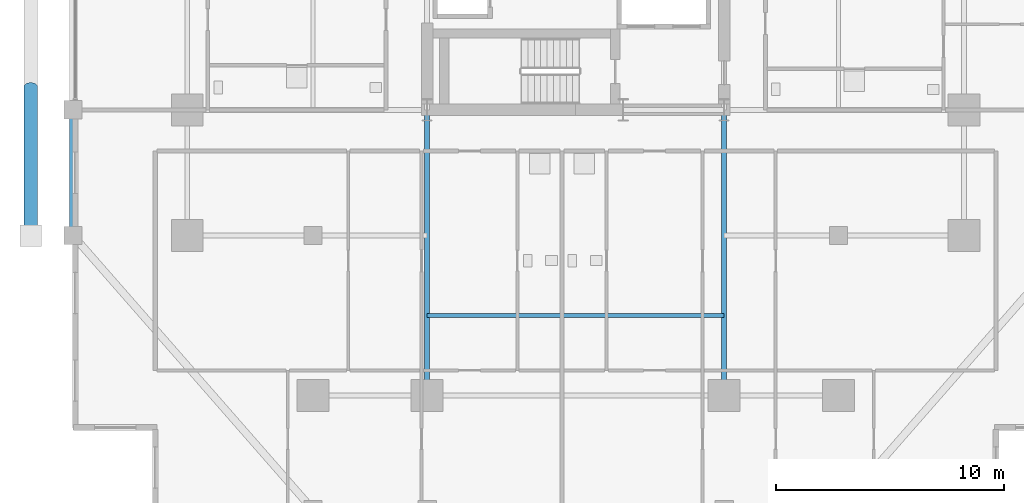
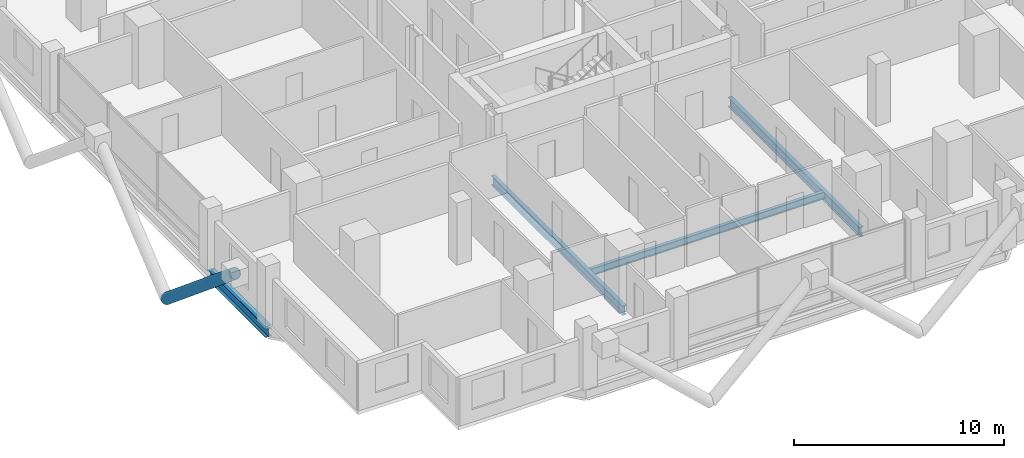
# One storey, part 3 of 23: 4 beams, 1 member.
"""IFC4 building model written with IfcOpenShell, lengths in metres."""

import ifcopenshell
import ifcopenshell.guid

model = None  # the IFC model being written
_history = None  # IfcOwnerHistory: only IFC2X3 demands one
_inside = {}  # id of a spatial element -> (the spatial element, [elements in it])
_under = {}  # id of a project, library or spatial element -> (it, [spatial elements below it])
_declared = {}  # id of a project -> (the project, [libraries it declares])
_typed = {}  # id of a type object -> (the type object, [elements of that type])
_made_of = {}  # id of a material, layer set ... -> (it, [elements and type objects made of it])


def new_model(schema):
    """Start an empty IFC model of exactly this schema.

    Asked for "IFC4X3", IfcOpenShell would pick the latest addendum, in which some entities
    have other attributes; the version numbers below select the first issue.
    IFC2X3 requires an IfcOwnerHistory on every rooted entity: one is made here for all.
    """
    global model, _history
    if schema == "IFC4X3":
        model = ifcopenshell.file(schema_version=(4, 3, 0, 0))
    else:
        model = ifcopenshell.file(schema=schema)
    _inside.clear()
    _under.clear()
    _declared.clear()
    _typed.clear()
    _made_of.clear()
    _history = None
    if model.schema == "IFC2X3":
        org = make("IfcOrganization", Name="unknown")
        user = make(
            "IfcPersonAndOrganization",
            ThePerson=make("IfcPerson", FamilyName="unknown"),
            TheOrganization=org,
        )
        app = make(
            "IfcApplication",
            ApplicationDeveloper=org,
            Version="unknown",
            ApplicationFullName="unknown",
            ApplicationIdentifier="unknown",
        )
        _history = make(
            "IfcOwnerHistory",
            OwningUser=user,
            OwningApplication=app,
            ChangeAction="ADDED",
            CreationDate=0,
        )
    return model


def make(cls, **values):
    """One entity of the class cls with the attributes given. An attribute that is None is left unset."""
    return model.create_entity(
        cls, **{name: value for name, value in values.items() if value is not None}
    )


def rooted(cls, **values):
    """An entity with a GlobalId (a new one), such as an element, a storey or a relation."""
    return make(cls, GlobalId=ifcopenshell.guid.new(), OwnerHistory=_history, **values)


def si_unit(unit_type, name, prefix=None):
    """IfcSIUnit, for example si_unit("LENGTHUNIT", "METRE", prefix="MILLI")."""
    return make("IfcSIUnit", UnitType=unit_type, Prefix=prefix, Name=name)


def assignment(units):
    """IfcUnitAssignment: the units of a project."""
    return None if units is None else make("IfcUnitAssignment", Units=units)


def point(xyz):
    """IfcCartesianPoint."""
    return None if xyz is None else make("IfcCartesianPoint", Coordinates=xyz)


def direction(xyz):
    """IfcDirection."""
    return None if xyz is None else make("IfcDirection", DirectionRatios=xyz)


def frame(location, z_axis=None, x_axis=None):
    """IfcAxis2Placement3D, a coordinate frame: its origin and axes. An axis left out is left unset."""
    return make(
        "IfcAxis2Placement3D",
        Location=point(location),
        Axis=direction(z_axis),
        RefDirection=direction(x_axis),
    )


def frame_2d(location, x_axis=None):
    """IfcAxis2Placement2D, a coordinate frame in the plane: its origin and x axis."""
    return make(
        "IfcAxis2Placement2D", Location=point(location), RefDirection=direction(x_axis)
    )


def origin():
    """The frame at (0, 0, 0) with its axes left unset."""
    return frame((0.0, 0.0, 0.0))


def origin_2d():
    """The frame at (0, 0) in the plane with its x axis left unset."""
    return frame_2d((0.0, 0.0))


def place(relative_to, where):
    """IfcLocalPlacement: puts the frame where relative to a parent placement (None: the world)."""
    return make(
        "IfcLocalPlacement", PlacementRelTo=relative_to, RelativePlacement=where
    )


def context(
    kind, dimensions, precision=None, world=None, true_north=None, identifier=None
):
    """IfcGeometricRepresentationContext, for example the 3D "Model" context."""
    return make(
        "IfcGeometricRepresentationContext",
        ContextIdentifier=identifier,
        ContextType=kind,
        CoordinateSpaceDimension=dimensions,
        Precision=precision,
        WorldCoordinateSystem=world,
        TrueNorth=true_north,
    )


def subcontext(parent, identifier, kind, view, scale=None):
    """IfcGeometricRepresentationSubContext, for example "Body" below "Model"."""
    return make(
        "IfcGeometricRepresentationSubContext",
        ContextIdentifier=identifier,
        ContextType=kind,
        ParentContext=parent,
        TargetScale=scale,
        TargetView=view,
    )


def project(units=None, contexts=None):
    """IfcProject with its units and contexts."""
    return rooted(
        "IfcProject",
        Name="project",
        RepresentationContexts=contexts,
        UnitsInContext=assignment(units),
    )


def spatial(cls, under=None, at=None, **own):
    """A site, building, storey or space (cls), placed at a placement, below another one or the project."""
    s = rooted(cls, ObjectPlacement=at, **own)
    if under is not None:
        _under.setdefault(under.id(), (under, []))[1].append(s)
    return s


def profile(cls, at=None, kind="AREA", **sizes):
    """A parametric profile (cls). Its sizes go by their IFC names, for example OverallWidth=200.0."""
    return make(cls, ProfileType=kind, Position=at, **sizes)


def hollow_circle(**sizes):
    """IfcCircleHollowProfileDef."""
    return profile("IfcCircleHollowProfileDef", **sizes)


def i_section(**sizes):
    """IfcIShapeProfileDef."""
    return profile("IfcIShapeProfileDef", **sizes)


def extrude(swept, where, along, depth):
    """IfcExtrudedAreaSolid: the profile swept, set in the frame where, extruded along a direction by depth."""
    return make(
        "IfcExtrudedAreaSolid",
        SweptArea=swept,
        Position=where,
        ExtrudedDirection=direction(along),
        Depth=depth,
    )


def shape(context_of_items, identifier, shape_type, items):
    """IfcShapeRepresentation: the items that make up one representation, for example the "Body"."""
    return make(
        "IfcShapeRepresentation",
        ContextOfItems=context_of_items,
        RepresentationIdentifier=identifier,
        RepresentationType=shape_type,
        Items=items,
    )


def material(Name=None, Category=None):
    """IfcMaterial."""
    return make("IfcMaterial", Name=Name, Category=Category)


def material_profile(
    of_material, cross_section, Name=None, Category=None, Priority=None
):
    """IfcMaterialProfile: a cross section and its material."""
    return make(
        "IfcMaterialProfile",
        Name=Name,
        Material=of_material,
        Profile=cross_section,
        Priority=Priority,
        Category=Category,
    )


def profile_set(profiles, Name=None, composite=None):
    """IfcMaterialProfileSet."""
    return make(
        "IfcMaterialProfileSet",
        Name=Name,
        MaterialProfiles=profiles,
        CompositeProfile=composite,
    )


def made_of(thing, what):
    """Note that an element or type object is made of a material, layer set ...; save() writes the relation."""
    if what is not None:
        _made_of.setdefault(what.id(), (what, []))[1].append(thing)
    return thing


def type_object(cls, material=None, **own):
    """A type object (cls), such as IfcWallType, which elements share."""
    return made_of(rooted(cls, **own), material)


def element(
    cls,
    number,
    at=None,
    inside=None,
    cuts=None,
    type_object=None,
    material=None,
    context=None,
    identifier="Body",
    shape_type=None,
    held_by="IfcProductDefinitionShape",
    body=None,
    shapes=None,
    **own,
):
    """One element of the class cls, such as IfcWall. Its Tag is "e" and its number.

    at: its placement. inside: the storey or other place that contains it. cuts: it is an
    opening in that element (IfcRelVoidsElement). A single representation is given by context,
    identifier, shape_type and body (its items); several are given by shapes. held_by: the class
    of the entity that holds the representations. save() writes the other relations.
    """
    e = rooted(cls, Tag="e%d" % number, ObjectPlacement=at, **own)
    if body is not None:
        shapes = [shape(context, identifier, shape_type, body)]
    if shapes is not None:
        e.Representation = make(held_by, Representations=shapes)
    if inside is not None:
        _inside.setdefault(inside.id(), (inside, []))[1].append(e)
    if cuts is not None:
        rooted(
            "IfcRelVoidsElement", RelatingBuildingElement=cuts, RelatedOpeningElement=e
        )
    if type_object is not None:
        _typed.setdefault(type_object.id(), (type_object, []))[1].append(e)
    return made_of(e, material)


def aggregate(whole, parts):
    """IfcRelAggregates: a whole, such as a stair, and the parts it consists of."""
    return rooted("IfcRelAggregates", RelatingObject=whole, RelatedObjects=parts)


def save(model, path):
    """Write the relations noted so far, then the file.

    IfcRelAggregates (storeys below a building ...), IfcRelContainedInSpatialStructure (elements
    in a storey), IfcRelDefinesByType, IfcRelAssociatesMaterial and IfcRelDeclares: one each for
    every whole, place, type object, material and project.
    """
    for whole, parts in _under.values():
        aggregate(whole, parts)
    for where, things in _inside.values():
        rooted(
            "IfcRelContainedInSpatialStructure",
            RelatedElements=things,
            RelatingStructure=where,
        )
    for kind, things in _typed.values():
        rooted("IfcRelDefinesByType", RelatedObjects=things, RelatingType=kind)
    for what, things in _made_of.values():
        rooted("IfcRelAssociatesMaterial", RelatedObjects=things, RelatingMaterial=what)
    for by, libraries in _declared.values():
        rooted("IfcRelDeclares", RelatingContext=by, RelatedDefinitions=libraries)
    model.write(path)


model = new_model("IFC4")

# Units and contexts
model_context = context("Model", 3, precision=1e-05, world=origin(), true_north=direction((0.0, 1.0)))
body_context = subcontext(model_context, "Body", "Model", "MODEL_VIEW")
ifc_project = project(units=[si_unit("LENGTHUNIT", "METRE"), si_unit("AREAUNIT", "SQUARE_METRE"), si_unit("VOLUMEUNIT", "CUBIC_METRE"), si_unit("PLANEANGLEUNIT", "RADIAN"), si_unit("MASSUNIT", "GRAM", prefix="KILO")], contexts=[model_context])

# Site, building, storey
site_placement = place(None, origin())
site = spatial("IfcSite", under=ifc_project, at=site_placement, CompositionType="ELEMENT")
building_placement = place(site_placement, origin())
building = spatial("IfcBuilding", under=site, at=building_placement, Name="Barlavira Tower and Art Museum", CompositionType="ELEMENT")
storey_placement = place(building_placement, frame((0.0, 0.0, 68.39990234375)))
storey = spatial("IfcBuildingStorey", under=building, at=storey_placement, Name="L16", CompositionType="ELEMENT", Elevation=68.39990234375)

# Member
ifc_material = material(Name="Steel S355", Category="steel")
ifc_material_profile_1 = material_profile(ifc_material, hollow_circle(Radius=0.304931640625, WallThickness=0.028076171875, at=origin_2d()), Name="CHS 610.0x28.0")
ifc_profile_set_1 = profile_set([ifc_material_profile_1], Name="Steel S355")
member_type = type_object("IfcMemberType", Name="Pale-Metal Exoskeleton Diagrid Tube CHS 610x28 Steel S355", PredefinedType="BRACE", material=ifc_profile_set_1)
member_placement = place(storey_placement, frame((-23.85009765625, -6.5, -1.919921875), z_axis=(0.0, -0.769196053329, 0.639012857104), x_axis=(1.0, 0.0, 0.0)))
element("IfcMember", 1, at=member_placement, inside=storey, type_object=member_type, Name="L16 Exoskeleton Diagrid Tube W", PredefinedType="BRACE", context=body_context, shape_type="SweptSolid", body=[
    extrude(hollow_circle(Radius=0.304931640625, WallThickness=0.028076171875, at=origin_2d()), origin(), (0.0, 0.0, 1.0), 8.450439453125),
])

# Beams
ifc_material_profile_2 = material_profile(ifc_material, i_section(OverallWidth=0.327880859375, OverallDepth=0.62890625, WebThickness=0.013916015625, FlangeThickness=0.021484375, at=origin_2d()), Name="W610x174.0")
ifc_profile_set_2 = profile_set([ifc_material_profile_2], Name="Steel S355")
beam_type_1 = type_object("IfcBeamType", Name="Perimeter Spandrel Edge Beam W610x174 Steel S355", PredefinedType="SPANDREL", material=ifc_profile_set_2)
beam_1_placement = place(storey_placement, frame((-22.0, -13.0, -0.534423828125), z_axis=(0.0, 1.0, 0.0), x_axis=(-1.0, 0.0, 0.0)))
element("IfcBeam", 2, at=beam_1_placement, inside=storey, type_object=beam_type_1, Name="L16 Spandrel 15", PredefinedType="SPANDREL", context=body_context, shape_type="SweptSolid", body=[
    extrude(i_section(OverallWidth=0.327880859375, OverallDepth=0.62890625, WebThickness=0.013916015625, FlangeThickness=0.021484375, at=origin_2d()), origin(), (0.0, 0.0, 1.0), 5.5),
])
ifc_material_profile_3 = material_profile(ifc_material, i_section(OverallWidth=0.180908203125, OverallDepth=0.4169921875, WebThickness=0.010986328125, FlangeThickness=0.018310546875, at=origin_2d()), Name="W410x85.0")
ifc_profile_set_3 = profile_set([ifc_material_profile_3], Name="Steel S355")
beam_type_2 = type_object("IfcBeamType", Name="Zone 1 Composite Floor Joist W410x85 Steel S355", PredefinedType="JOIST", material=ifc_profile_set_3)
beam_2_placement = place(storey_placement, frame((-6.5, -16.5, -0.428466796875), z_axis=(1.0, 0.0, 0.0), x_axis=(0.0, 1.0, 0.0)))
element("IfcBeam", 3, at=beam_2_placement, inside=storey, type_object=beam_type_2, Name="L16 Joist C1", PredefinedType="JOIST", context=body_context, shape_type="SweptSolid", body=[
    extrude(i_section(OverallWidth=0.180908203125, OverallDepth=0.4169921875, WebThickness=0.010986328125, FlangeThickness=0.018310546875, at=origin_2d()), origin(), (0.0, 0.0, 1.0), 13.0),
])
ifc_material_profile_4 = material_profile(ifc_material, i_section(OverallWidth=0.214111328125, OverallDepth=0.549072265625, WebThickness=0.0146484375, FlangeThickness=0.023681640625, at=origin_2d()), Name="W530x138.0")
ifc_profile_set_4 = profile_set([ifc_material_profile_4], Name="Steel S355")
beam_type_3 = type_object("IfcBeamType", Name="Zone 1 Primary Floor Girder W530x138 Steel S355", PredefinedType="BEAM", material=ifc_profile_set_4)
for number, where, z_axis, x_axis, name in (
    (4, (-6.5, -20.0, -0.494384765625), (0.0, 1.0, 0.0), (-1.0, 0.0, 0.0), "L16 Girder R-S1"),
    (5, (6.5, -20.0, -0.494384765625), (0.0, 1.0, 0.0), (-1.0, 0.0, 0.0), "L16 Girder R-S2"),
):
    element("IfcBeam", number, at=place(storey_placement, frame(where, z_axis=z_axis, x_axis=x_axis)), inside=storey, type_object=beam_type_3, Name=name, PredefinedType="BEAM", context=body_context, shape_type="SweptSolid", body=[
        extrude(i_section(OverallWidth=0.214111328125, OverallDepth=0.549072265625, WebThickness=0.0146484375, FlangeThickness=0.023681640625, at=origin_2d()), origin(), (0.0, 0.0, 1.0), 12.5),
    ])

save(model, "model.ifc")
